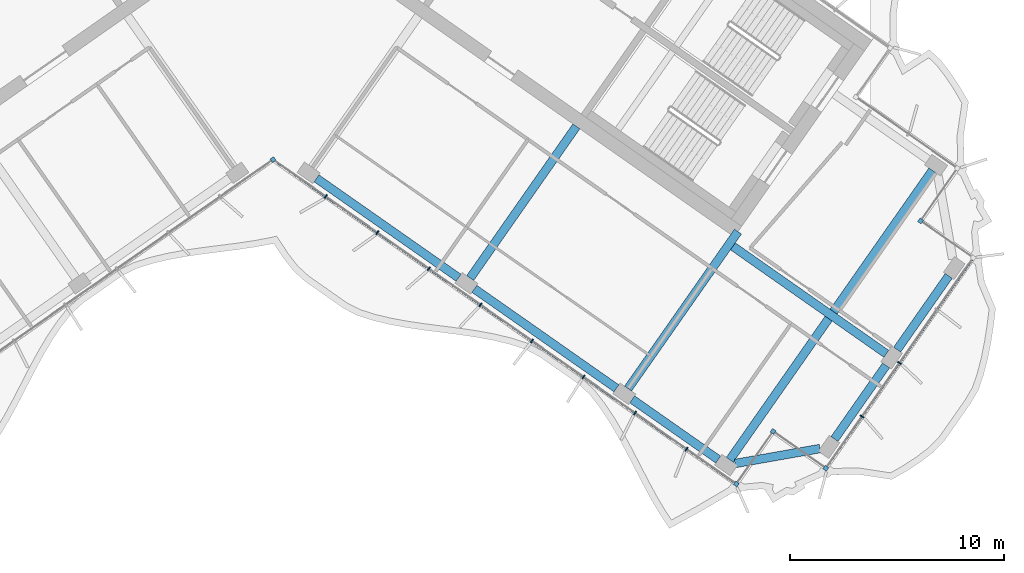
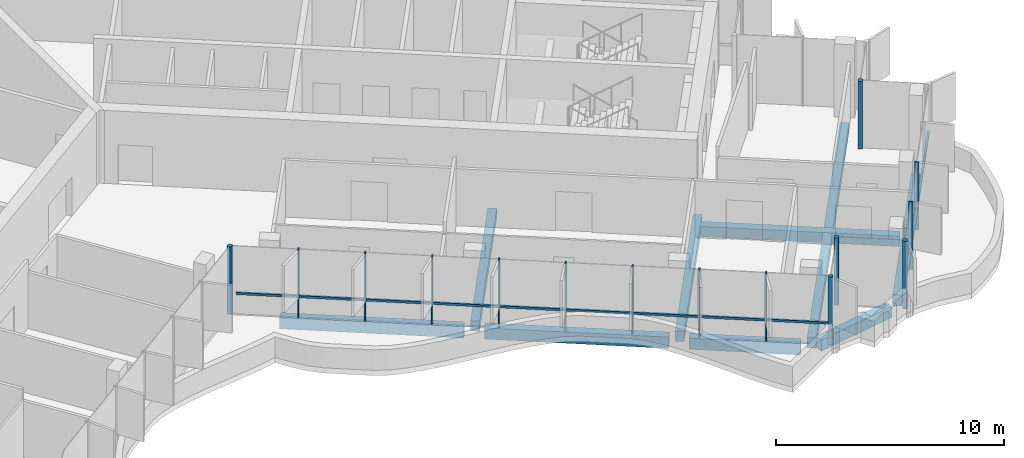
# One storey, part 4 of 20: 17 members, 10 beams, 1 element without a shape of its own.
"""IFC4 building model written with IfcOpenShell, lengths in metres."""

import ifcopenshell
import ifcopenshell.guid

model = None  # the IFC model being written
_history = None  # IfcOwnerHistory: only IFC2X3 demands one
_inside = {}  # id of a spatial element -> (the spatial element, [elements in it])
_under = {}  # id of a project, library or spatial element -> (it, [spatial elements below it])
_declared = {}  # id of a project -> (the project, [libraries it declares])
_typed = {}  # id of a type object -> (the type object, [elements of that type])
_made_of = {}  # id of a material, layer set ... -> (it, [elements and type objects made of it])


def new_model(schema):
    """Start an empty IFC model of exactly this schema.

    Asked for "IFC4X3", IfcOpenShell would pick the latest addendum, in which some entities
    have other attributes; the version numbers below select the first issue.
    IFC2X3 requires an IfcOwnerHistory on every rooted entity: one is made here for all.
    """
    global model, _history
    if schema == "IFC4X3":
        model = ifcopenshell.file(schema_version=(4, 3, 0, 0))
    else:
        model = ifcopenshell.file(schema=schema)
    _inside.clear()
    _under.clear()
    _declared.clear()
    _typed.clear()
    _made_of.clear()
    _history = None
    if model.schema == "IFC2X3":
        org = make("IfcOrganization", Name="unknown")
        user = make(
            "IfcPersonAndOrganization",
            ThePerson=make("IfcPerson", FamilyName="unknown"),
            TheOrganization=org,
        )
        app = make(
            "IfcApplication",
            ApplicationDeveloper=org,
            Version="unknown",
            ApplicationFullName="unknown",
            ApplicationIdentifier="unknown",
        )
        _history = make(
            "IfcOwnerHistory",
            OwningUser=user,
            OwningApplication=app,
            ChangeAction="ADDED",
            CreationDate=0,
        )
    return model


def make(cls, **values):
    """One entity of the class cls with the attributes given. An attribute that is None is left unset."""
    return model.create_entity(
        cls, **{name: value for name, value in values.items() if value is not None}
    )


def rooted(cls, **values):
    """An entity with a GlobalId (a new one), such as an element, a storey or a relation."""
    return make(cls, GlobalId=ifcopenshell.guid.new(), OwnerHistory=_history, **values)


def si_unit(unit_type, name, prefix=None):
    """IfcSIUnit, for example si_unit("LENGTHUNIT", "METRE", prefix="MILLI")."""
    return make("IfcSIUnit", UnitType=unit_type, Prefix=prefix, Name=name)


def assignment(units):
    """IfcUnitAssignment: the units of a project."""
    return None if units is None else make("IfcUnitAssignment", Units=units)


def point(xyz):
    """IfcCartesianPoint."""
    return None if xyz is None else make("IfcCartesianPoint", Coordinates=xyz)


def direction(xyz):
    """IfcDirection."""
    return None if xyz is None else make("IfcDirection", DirectionRatios=xyz)


def frame(location, z_axis=None, x_axis=None):
    """IfcAxis2Placement3D, a coordinate frame: its origin and axes. An axis left out is left unset."""
    return make(
        "IfcAxis2Placement3D",
        Location=point(location),
        Axis=direction(z_axis),
        RefDirection=direction(x_axis),
    )


def frame_2d(location, x_axis=None):
    """IfcAxis2Placement2D, a coordinate frame in the plane: its origin and x axis."""
    return make(
        "IfcAxis2Placement2D", Location=point(location), RefDirection=direction(x_axis)
    )


def origin():
    """The frame at (0, 0, 0) with its axes left unset."""
    return frame((0.0, 0.0, 0.0))


def origin_2d():
    """The frame at (0, 0) in the plane with its x axis left unset."""
    return frame_2d((0.0, 0.0))


def place(relative_to, where):
    """IfcLocalPlacement: puts the frame where relative to a parent placement (None: the world)."""
    return make(
        "IfcLocalPlacement", PlacementRelTo=relative_to, RelativePlacement=where
    )


def context(
    kind, dimensions, precision=None, world=None, true_north=None, identifier=None
):
    """IfcGeometricRepresentationContext, for example the 3D "Model" context."""
    return make(
        "IfcGeometricRepresentationContext",
        ContextIdentifier=identifier,
        ContextType=kind,
        CoordinateSpaceDimension=dimensions,
        Precision=precision,
        WorldCoordinateSystem=world,
        TrueNorth=true_north,
    )


def subcontext(parent, identifier, kind, view, scale=None):
    """IfcGeometricRepresentationSubContext, for example "Body" below "Model"."""
    return make(
        "IfcGeometricRepresentationSubContext",
        ContextIdentifier=identifier,
        ContextType=kind,
        ParentContext=parent,
        TargetScale=scale,
        TargetView=view,
    )


def project(units=None, contexts=None):
    """IfcProject with its units and contexts."""
    return rooted(
        "IfcProject",
        Name="project",
        RepresentationContexts=contexts,
        UnitsInContext=assignment(units),
    )


def spatial(cls, under=None, at=None, **own):
    """A site, building, storey or space (cls), placed at a placement, below another one or the project."""
    s = rooted(cls, ObjectPlacement=at, **own)
    if under is not None:
        _under.setdefault(under.id(), (under, []))[1].append(s)
    return s


def profile(cls, at=None, kind="AREA", **sizes):
    """A parametric profile (cls). Its sizes go by their IFC names, for example OverallWidth=200.0."""
    return make(cls, ProfileType=kind, Position=at, **sizes)


def rectangle(**sizes):
    """IfcRectangleProfileDef."""
    return profile("IfcRectangleProfileDef", **sizes)


def extrude(swept, where, along, depth):
    """IfcExtrudedAreaSolid: the profile swept, set in the frame where, extruded along a direction by depth."""
    return make(
        "IfcExtrudedAreaSolid",
        SweptArea=swept,
        Position=where,
        ExtrudedDirection=direction(along),
        Depth=depth,
    )


def shape(context_of_items, identifier, shape_type, items):
    """IfcShapeRepresentation: the items that make up one representation, for example the "Body"."""
    return make(
        "IfcShapeRepresentation",
        ContextOfItems=context_of_items,
        RepresentationIdentifier=identifier,
        RepresentationType=shape_type,
        Items=items,
    )


def material(Name=None, Category=None):
    """IfcMaterial."""
    return make("IfcMaterial", Name=Name, Category=Category)


def material_profile(
    of_material, cross_section, Name=None, Category=None, Priority=None
):
    """IfcMaterialProfile: a cross section and its material."""
    return make(
        "IfcMaterialProfile",
        Name=Name,
        Material=of_material,
        Profile=cross_section,
        Priority=Priority,
        Category=Category,
    )


def profile_set(profiles, Name=None, composite=None):
    """IfcMaterialProfileSet."""
    return make(
        "IfcMaterialProfileSet",
        Name=Name,
        MaterialProfiles=profiles,
        CompositeProfile=composite,
    )


def made_of(thing, what):
    """Note that an element or type object is made of a material, layer set ...; save() writes the relation."""
    if what is not None:
        _made_of.setdefault(what.id(), (what, []))[1].append(thing)
    return thing


def type_object(cls, material=None, **own):
    """A type object (cls), such as IfcWallType, which elements share."""
    return made_of(rooted(cls, **own), material)


def element(
    cls,
    number,
    at=None,
    inside=None,
    cuts=None,
    type_object=None,
    material=None,
    context=None,
    identifier="Body",
    shape_type=None,
    held_by="IfcProductDefinitionShape",
    body=None,
    shapes=None,
    **own,
):
    """One element of the class cls, such as IfcWall. Its Tag is "e" and its number.

    at: its placement. inside: the storey or other place that contains it. cuts: it is an
    opening in that element (IfcRelVoidsElement). A single representation is given by context,
    identifier, shape_type and body (its items); several are given by shapes. held_by: the class
    of the entity that holds the representations. save() writes the other relations.
    """
    e = rooted(cls, Tag="e%d" % number, ObjectPlacement=at, **own)
    if body is not None:
        shapes = [shape(context, identifier, shape_type, body)]
    if shapes is not None:
        e.Representation = make(held_by, Representations=shapes)
    if inside is not None:
        _inside.setdefault(inside.id(), (inside, []))[1].append(e)
    if cuts is not None:
        rooted(
            "IfcRelVoidsElement", RelatingBuildingElement=cuts, RelatedOpeningElement=e
        )
    if type_object is not None:
        _typed.setdefault(type_object.id(), (type_object, []))[1].append(e)
    return made_of(e, material)


def aggregate(whole, parts):
    """IfcRelAggregates: a whole, such as a stair, and the parts it consists of."""
    return rooted("IfcRelAggregates", RelatingObject=whole, RelatedObjects=parts)


def save(model, path):
    """Write the relations noted so far, then the file.

    IfcRelAggregates (storeys below a building ...), IfcRelContainedInSpatialStructure (elements
    in a storey), IfcRelDefinesByType, IfcRelAssociatesMaterial and IfcRelDeclares: one each for
    every whole, place, type object, material and project.
    """
    for whole, parts in _under.values():
        aggregate(whole, parts)
    for where, things in _inside.values():
        rooted(
            "IfcRelContainedInSpatialStructure",
            RelatedElements=things,
            RelatingStructure=where,
        )
    for kind, things in _typed.values():
        rooted("IfcRelDefinesByType", RelatedObjects=things, RelatingType=kind)
    for what, things in _made_of.values():
        rooted("IfcRelAssociatesMaterial", RelatedObjects=things, RelatingMaterial=what)
    for by, libraries in _declared.values():
        rooted("IfcRelDeclares", RelatingContext=by, RelatedDefinitions=libraries)
    model.write(path)


model = new_model("IFC4")

# Units and contexts
model_context = context("Model", 3, precision=1e-05, world=origin(), true_north=direction((0.0, 1.0)))
body_context = subcontext(model_context, "Body", "Model", "MODEL_VIEW")
ifc_project = project(units=[si_unit("LENGTHUNIT", "METRE"), si_unit("AREAUNIT", "SQUARE_METRE"), si_unit("VOLUMEUNIT", "CUBIC_METRE"), si_unit("PLANEANGLEUNIT", "RADIAN"), si_unit("MASSUNIT", "GRAM", prefix="KILO")], contexts=[model_context])

# Site, building, storey
site_placement = place(None, origin())
site = spatial("IfcSite", under=ifc_project, at=site_placement, CompositionType="ELEMENT")
building_placement = place(site_placement, origin())
building = spatial("IfcBuilding", under=site, at=building_placement, Name="Tel Ilan Convention Tower", CompositionType="ELEMENT")
storey_placement = place(building_placement, frame((0.0, 0.0, 237.10009765625)))
storey = spatial("IfcBuildingStorey", under=building, at=storey_placement, Name="L55", CompositionType="ELEMENT", Elevation=237.10009765625)

# Beams
ifc_material_1 = material(Name="Concrete C40/50", Category="concrete")
ifc_material_profile_1 = material_profile(ifc_material_1, rectangle(XDim=0.39990234375, YDim=0.550048828125, at=origin_2d()), Name="RC 400x550")
ifc_profile_set_1 = profile_set([ifc_material_profile_1], Name="Concrete C40/50")
beam_type_1 = type_object("IfcBeamType", Name="Beam RC 400x550 Concrete C40/50", PredefinedType="BEAM", material=ifc_profile_set_1)
beam_1_placement = place(storey_placement, frame((9.209716796875, -18.229248046875, -0.55517578125), z_axis=(0.573574099654, 0.819153680457, 0.0), x_axis=(-0.819153680457, 0.573574099654, 0.0)))
element("IfcBeam", 1, at=beam_1_placement, inside=storey, type_object=beam_type_1, Name="L55 beam E-E-F2-core", PredefinedType="BEAM", context=body_context, shape_type="SweptSolid", body=[
    extrude(rectangle(XDim=0.39990234375, YDim=0.550048828125, at=origin_2d()), origin(), (0.0, 0.0, 1.0), 8.64990234375),
])
beam_2_placement = place(storey_placement, frame((16.58203125, -23.391357421875, -0.55517578125), z_axis=(0.573584999642, 0.819146048141, 0.0), x_axis=(-0.819146048141, 0.573584999642, 0.0)))
element("IfcBeam", 2, at=beam_2_placement, inside=storey, type_object=beam_type_1, Name="L55 beam E-E-F3-core", PredefinedType="BEAM", context=body_context, shape_type="SweptSolid", body=[
    extrude(rectangle(XDim=0.39990234375, YDim=0.550048828125, at=origin_2d()), origin(), (0.0, 0.0, 1.0), 8.949951171875),
])
beam_3_placement = place(storey_placement, frame((21.477783203125, -16.748046875, -0.55517578125), z_axis=(0.819157197737, -0.573569076395, 0.0), x_axis=(0.573569076395, 0.819157197737, 0.0)))
element("IfcBeam", 3, at=beam_3_placement, inside=storey, type_object=beam_type_1, Name="L55 beam E-core-end", PredefinedType="BEAM", context=body_context, shape_type="SweptSolid", body=[
    extrude(rectangle(XDim=0.39990234375, YDim=0.550048828125, at=origin_2d()), origin(), (0.0, 0.0, 1.0), 8.75),
])
beam_4_placement = place(storey_placement, frame((21.333251953125, -26.718017578125, -0.55517578125), z_axis=(0.573574554643, 0.819153361872, 0.0), x_axis=(-0.819153361872, 0.573574554643, 0.0)))
element("IfcBeam", 4, at=beam_4_placement, inside=storey, type_object=beam_type_1, Name="L55 beam E-E-FC-E-BC", PredefinedType="BEAM", context=body_context, shape_type="SweptSolid", body=[
    extrude(rectangle(XDim=0.39990234375, YDim=0.550048828125, at=origin_2d()), origin(), (0.0, 0.0, 1.0), 16.499755859375),
])
ifc_material_2 = material(Name="Concrete C40/50", Category="concrete")
ifc_material_profile_2 = material_profile(ifc_material_2, rectangle(XDim=0.39990234375, YDim=0.60009765625, at=origin_2d()), Name="RC 400x600")
ifc_profile_set_2 = profile_set([ifc_material_profile_2], Name="Concrete C40/50")
beam_type_2 = type_object("IfcBeamType", Name="Beam RC 400x600 Concrete C40/50", PredefinedType="BEAM", material=ifc_profile_set_2)
beam_5_placement = place(storey_placement, frame((2.033935546875, -13.57080078125, -0.580078125), z_axis=(0.81914553362, -0.573585734437, 0.0), x_axis=(0.573585734437, 0.81914553362, 0.0)))
element("IfcBeam", 5, at=beam_5_placement, inside=storey, type_object=beam_type_2, Name="L55 beam E-E-F1-E-F2", PredefinedType="BEAM", context=body_context, shape_type="SweptSolid", body=[
    extrude(rectangle(XDim=0.39990234375, YDim=0.60009765625, at=origin_2d()), origin(), (0.0, 0.0, 1.0), 8.099853515625),
])
beam_6_placement = place(storey_placement, frame((9.40625, -18.73291015625, -0.580078125), z_axis=(0.819155449703, -0.573571572885, 0.0), x_axis=(0.573571572885, 0.819155449703, 0.0)))
element("IfcBeam", 6, at=beam_6_placement, inside=storey, type_object=beam_type_2, Name="L55 beam E-E-F2-E-F3", PredefinedType="BEAM", context=body_context, shape_type="SweptSolid", body=[
    extrude(rectangle(XDim=0.39990234375, YDim=0.60009765625, at=origin_2d()), origin(), (0.0, 0.0, 1.0), 8.10009765625),
])
beam_7_placement = place(storey_placement, frame((16.778564453125, -23.895263671875, -0.580078125), z_axis=(0.819154669329, -0.573572687386, 0.0), x_axis=(0.573572687386, 0.819154669329, 0.0)))
element("IfcBeam", 7, at=beam_7_placement, inside=storey, type_object=beam_type_2, Name="L55 beam E-E-F3-E-FC", PredefinedType="BEAM", context=body_context, shape_type="SweptSolid", body=[
    extrude(rectangle(XDim=0.39990234375, YDim=0.60009765625, at=origin_2d()), origin(), (0.0, 0.0, 1.0), 4.900146484375),
])
beam_8_placement = place(storey_placement, frame((21.578857421875, -26.89013671875, -0.580078125), z_axis=(0.984804894423, 0.173664388751, 0.0), x_axis=(-0.173664388751, 0.984804894423, 0.0)))
element("IfcBeam", 8, at=beam_8_placement, inside=storey, type_object=beam_type_2, Name="L55 beam E-E-FC-E-E1", PredefinedType="BEAM", context=body_context, shape_type="SweptSolid", body=[
    extrude(rectangle(XDim=0.39990234375, YDim=0.60009765625, at=origin_2d()), origin(), (0.0, 0.0, 1.0), 4.030517578125),
])
for number, where, z_axis, x_axis, name in (
    (9, (26.22412109375, -25.748046875, -0.580078125), (0.573563773994, 0.819160910421, 0.0), (-0.819160910421, 0.573563773994, 0.0), "L55 beam E-E-E1-E-E2"),
    (10, (29.1494140625, -21.5703125, -0.580078125), (0.573563773994, 0.819160910421, 0.0), (-0.819160910421, 0.573563773994, 0.0), "L55 beam E-E-E2-E-E3"),
):
    element("IfcBeam", number, at=place(storey_placement, frame(where, z_axis=z_axis, x_axis=x_axis)), inside=storey, type_object=beam_type_2, Name=name, PredefinedType="BEAM", context=body_context, shape_type="SweptSolid", body=[
        extrude(rectangle(XDim=0.39990234375, YDim=0.60009765625, at=origin_2d()), origin(), (0.0, 0.0, 1.0), 4.199951171875),
    ])

# Curtain wall, members
ifc_material_3 = material(Name="Aluminium, bronze anodised", Category="aluminium")
curtain_wall_type = type_object("IfcCurtainWallType", Name="CW5 STICK CURTAIN WALL, UPPER OFFICE LOW-IRON TINTED GLASS", PredefinedType="NOTDEFINED", material=ifc_material_3)
curtain_wall_placement = place(storey_placement, origin())
curtain_wall = element("IfcCurtainWall", 11, at=curtain_wall_placement, inside=storey, type_object=curtain_wall_type, Name="Curtain wall CW5-42.02", PredefinedType="NOTDEFINED")
ifc_material_4 = material(Name="Aluminium, bronze anodised", Category="aluminium")
ifc_material_profile_3 = material_profile(ifc_material_4, rectangle(XDim=0.199951171875, YDim=0.199951171875, at=origin_2d()), Name="CW CORNER MULLION 200x200")
ifc_profile_set_3 = profile_set([ifc_material_profile_3], Name="Aluminium, bronze anodised")
member_type_1 = type_object("IfcMemberType", Name="CW CORNER MULLION 200x200", PredefinedType="MULLION", material=ifc_profile_set_3)
member_1_placement = place(storey_placement, frame((0.0, -12.696044921875, 0.0), z_axis=(0.0, 0.0, 1.0), x_axis=(0.819152044289, 0.573576436351, 0.0)))
member_1 = element("IfcMember", 12, at=member_1_placement, type_object=member_type_1, Name="Corner mullion", PredefinedType="MULLION", context=body_context, shape_type="SweptSolid", body=[
    extrude(rectangle(XDim=0.199951171875, YDim=0.199951171875, at=origin_2d()), origin(), (0.0, 0.0, 1.0), 3.619873046875),
])
member_2_placement = place(storey_placement, frame((21.64013671875, -27.8486328125, 0.0), z_axis=(0.0, 0.0, 1.0), x_axis=(0.819152044289, -0.573576436351, 0.0)))
member_2 = element("IfcMember", 13, at=member_2_placement, type_object=member_type_1, Name="Corner mullion", PredefinedType="MULLION", context=body_context, shape_type="SweptSolid", body=[
    extrude(rectangle(XDim=0.199951171875, YDim=0.199951171875, at=origin_2d()), origin(), (0.0, 0.0, 1.0), 3.619873046875),
])
member_3_placement = place(storey_placement, frame((23.36083984375, -25.391357421875, 0.0), z_axis=(0.0, 0.0, 1.0), x_axis=(0.573576436351, 0.819152044289, 0.0)))
member_3 = element("IfcMember", 14, at=member_3_placement, type_object=member_type_1, Name="Corner mullion", PredefinedType="MULLION", context=body_context, shape_type="SweptSolid", body=[
    extrude(rectangle(XDim=0.199951171875, YDim=0.199951171875, at=origin_2d()), origin(), (0.0, 0.0, 1.0), 3.619873046875),
])
member_4_placement = place(storey_placement, frame((25.818359375, -27.112060546875, 0.0), z_axis=(0.0, 0.0, 1.0), x_axis=(0.819152044289, -0.573576436351, 0.0)))
member_4 = element("IfcMember", 15, at=member_4_placement, type_object=member_type_1, Name="Corner mullion", PredefinedType="MULLION", context=body_context, shape_type="SweptSolid", body=[
    extrude(rectangle(XDim=0.199951171875, YDim=0.199951171875, at=origin_2d()), origin(), (0.0, 0.0, 1.0), 3.619873046875),
])
member_5_placement = place(storey_placement, frame((30.243896484375, -15.5615234375, 0.0), z_axis=(0.0, 0.0, 1.0), x_axis=(-0.819152044289, 0.573576436351, 0.0)))
member_5 = element("IfcMember", 16, at=member_5_placement, type_object=member_type_1, Name="Corner mullion", PredefinedType="MULLION", context=body_context, shape_type="SweptSolid", body=[
    extrude(rectangle(XDim=0.199951171875, YDim=0.199951171875, at=origin_2d()), origin(), (0.0, 0.0, 1.0), 3.619873046875),
])
ifc_material_5 = material(Name="Aluminium, bronze anodised", Category="aluminium")
ifc_material_profile_4 = material_profile(ifc_material_5, rectangle(XDim=0.06005859375, YDim=0.199951171875, at=origin_2d()), Name="CW MULLION 60x200")
ifc_profile_set_4 = profile_set([ifc_material_profile_4], Name="Aluminium, bronze anodised")
member_type_2 = type_object("IfcMemberType", Name="CW MULLION 60x200", PredefinedType="MULLION", material=ifc_profile_set_4)
member_6_placement = place(storey_placement, frame((2.464599609375, -14.421875, 0.0), z_axis=(0.0, 0.0, 1.0), x_axis=(0.819152044289, -0.573576436351, 0.0)))
member_6 = element("IfcMember", 17, at=member_6_placement, type_object=member_type_2, Name="Mullion", PredefinedType="MULLION", context=body_context, shape_type="SweptSolid", body=[
    extrude(rectangle(XDim=0.06005859375, YDim=0.199951171875, at=origin_2d()), origin(), (0.0, 0.0, 1.0), 3.619873046875),
])
member_7_placement = place(storey_placement, frame((4.871826171875, -16.107177734375, 0.0), z_axis=(0.0, 0.0, 1.0), x_axis=(0.819152044289, -0.573576436351, 0.0)))
member_7 = element("IfcMember", 18, at=member_7_placement, type_object=member_type_2, Name="Mullion", PredefinedType="MULLION", context=body_context, shape_type="SweptSolid", body=[
    extrude(rectangle(XDim=0.06005859375, YDim=0.199951171875, at=origin_2d()), origin(), (0.0, 0.0, 1.0), 3.619873046875),
])
member_8_placement = place(storey_placement, frame((7.279052734375, -17.792724609375, 0.0), z_axis=(0.0, 0.0, 1.0), x_axis=(0.819152044289, -0.573576436351, 0.0)))
member_8 = element("IfcMember", 19, at=member_8_placement, type_object=member_type_2, Name="Mullion", PredefinedType="MULLION", context=body_context, shape_type="SweptSolid", body=[
    extrude(rectangle(XDim=0.06005859375, YDim=0.199951171875, at=origin_2d()), origin(), (0.0, 0.0, 1.0), 3.619873046875),
])
member_9_placement = place(storey_placement, frame((9.68603515625, -19.478271484375, 0.0), z_axis=(0.0, 0.0, 1.0), x_axis=(0.819152044289, -0.573576436351, 0.0)))
member_9 = element("IfcMember", 20, at=member_9_placement, type_object=member_type_2, Name="Mullion", PredefinedType="MULLION", context=body_context, shape_type="SweptSolid", body=[
    extrude(rectangle(XDim=0.06005859375, YDim=0.199951171875, at=origin_2d()), origin(), (0.0, 0.0, 1.0), 3.619873046875),
])
member_10_placement = place(storey_placement, frame((12.09326171875, -21.163818359375, 0.0), z_axis=(0.0, 0.0, 1.0), x_axis=(0.819152044289, -0.573576436351, 0.0)))
member_10 = element("IfcMember", 21, at=member_10_placement, type_object=member_type_2, Name="Mullion", PredefinedType="MULLION", context=body_context, shape_type="SweptSolid", body=[
    extrude(rectangle(XDim=0.06005859375, YDim=0.199951171875, at=origin_2d()), origin(), (0.0, 0.0, 1.0), 3.619873046875),
])
member_11_placement = place(storey_placement, frame((14.50048828125, -22.849365234375, 0.0), z_axis=(0.0, 0.0, 1.0), x_axis=(0.819152044289, -0.573576436351, 0.0)))
member_11 = element("IfcMember", 22, at=member_11_placement, type_object=member_type_2, Name="Mullion", PredefinedType="MULLION", context=body_context, shape_type="SweptSolid", body=[
    extrude(rectangle(XDim=0.06005859375, YDim=0.199951171875, at=origin_2d()), origin(), (0.0, 0.0, 1.0), 3.619873046875),
])
member_12_placement = place(storey_placement, frame((16.90771484375, -24.534912109375, 0.0), z_axis=(0.0, 0.0, 1.0), x_axis=(0.819152044289, -0.573576436351, 0.0)))
member_12 = element("IfcMember", 23, at=member_12_placement, type_object=member_type_2, Name="Mullion", PredefinedType="MULLION", context=body_context, shape_type="SweptSolid", body=[
    extrude(rectangle(XDim=0.06005859375, YDim=0.199951171875, at=origin_2d()), origin(), (0.0, 0.0, 1.0), 3.619873046875),
])
member_13_placement = place(storey_placement, frame((19.31494140625, -26.220458984375, 0.0), z_axis=(0.0, 0.0, 1.0), x_axis=(0.819152044289, -0.573576436351, 0.0)))
member_13 = element("IfcMember", 24, at=member_13_placement, type_object=member_type_2, Name="Mullion", PredefinedType="MULLION", context=body_context, shape_type="SweptSolid", body=[
    extrude(rectangle(XDim=0.06005859375, YDim=0.199951171875, at=origin_2d()), origin(), (0.0, 0.0, 1.0), 3.619873046875),
])
member_14_placement = place(storey_placement, frame((27.510498046875, -24.695556640625, 0.0), z_axis=(0.0, 0.0, 1.0), x_axis=(0.573576436351, 0.819152044289, 0.0)))
member_14 = element("IfcMember", 25, at=member_14_placement, type_object=member_type_2, Name="Mullion", PredefinedType="MULLION", context=body_context, shape_type="SweptSolid", body=[
    extrude(rectangle(XDim=0.06005859375, YDim=0.199951171875, at=origin_2d()), origin(), (0.0, 0.0, 1.0), 3.619873046875),
])
member_15_placement = place(storey_placement, frame((29.259765625, -22.197021484375, 0.0), z_axis=(0.0, 0.0, 1.0), x_axis=(0.573576436351, 0.819152044289, 0.0)))
member_15 = element("IfcMember", 26, at=member_15_placement, type_object=member_type_2, Name="Mullion", PredefinedType="MULLION", context=body_context, shape_type="SweptSolid", body=[
    extrude(rectangle(XDim=0.06005859375, YDim=0.199951171875, at=origin_2d()), origin(), (0.0, 0.0, 1.0), 3.619873046875),
])
ifc_material_6 = material(Name="Aluminium, bronze anodised", Category="aluminium")
ifc_material_profile_5 = material_profile(ifc_material_6, rectangle(XDim=0.10009765625, YDim=0.1201171875, at=origin_2d()), Name="CW TRANSOM 100x120")
ifc_profile_set_5 = profile_set([ifc_material_profile_5], Name="Aluminium, bronze anodised")
member_type_3 = type_object("IfcMemberType", Name="CW TRANSOM 100x120", PredefinedType="USERDEFINED", material=ifc_profile_set_5)
member_16_placement = place(storey_placement, frame((0.22119140625, -12.850830078125, 1.099853515625), z_axis=(0.819152212587, -0.573576195996, 0.0), x_axis=(0.573576195996, 0.819152212587, 0.0)))
member_16 = element("IfcMember", 27, at=member_16_placement, type_object=member_type_3, Name="Transom", ObjectType="TRANSOM", PredefinedType="USERDEFINED", context=body_context, shape_type="SweptSolid", body=[
    extrude(rectangle(XDim=0.10009765625, YDim=0.1201171875, at=origin_2d()), origin(), (0.0, 0.0, 1.0), 26.0478515625),
])
member_17_placement = place(storey_placement, frame((25.875732421875, -27.030029296875, 1.099853515625), z_axis=(0.573581755582, 0.819148319698, 0.0), x_axis=(-0.819148319698, 0.573581755582, 0.0)))
member_17 = element("IfcMember", 28, at=member_17_placement, type_object=member_type_3, Name="Transom", ObjectType="TRANSOM", PredefinedType="USERDEFINED", context=body_context, shape_type="SweptSolid", body=[
    extrude(rectangle(XDim=0.10009765625, YDim=0.1201171875, at=origin_2d()), origin(), (0.0, 0.0, 1.0), 11.800048828125),
])
aggregate(curtain_wall, [member_1, member_6, member_7, member_8, member_9, member_10, member_11, member_12, member_13, member_2, member_16, member_3, member_4, member_14, member_15, member_17, member_5])

save(model, "model.ifc")
